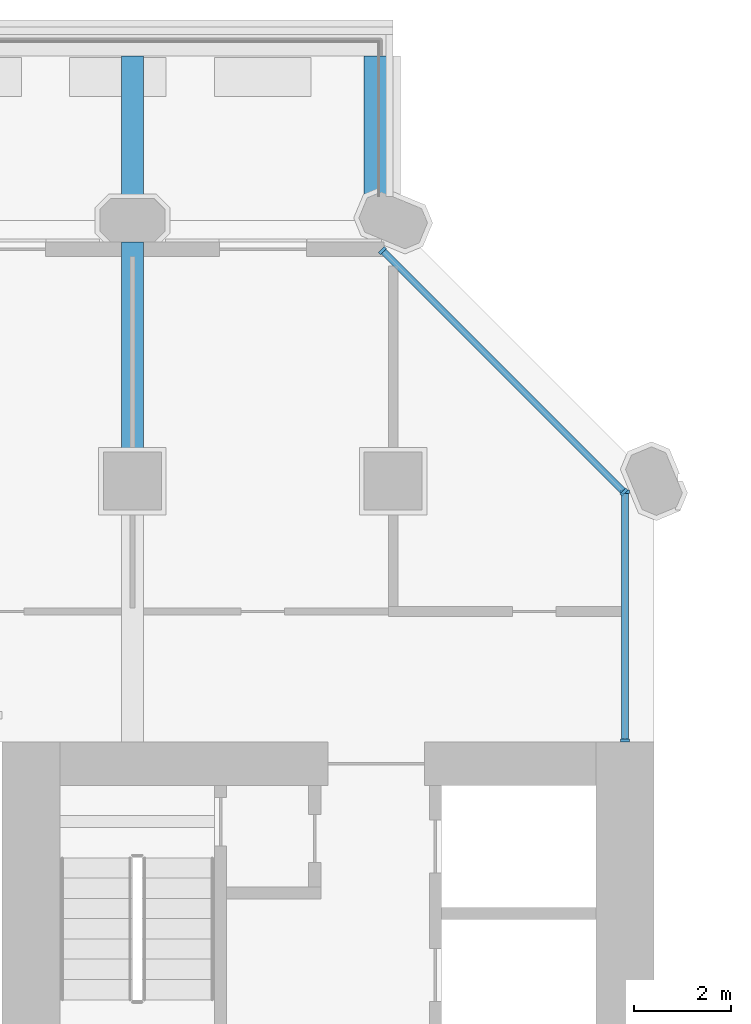
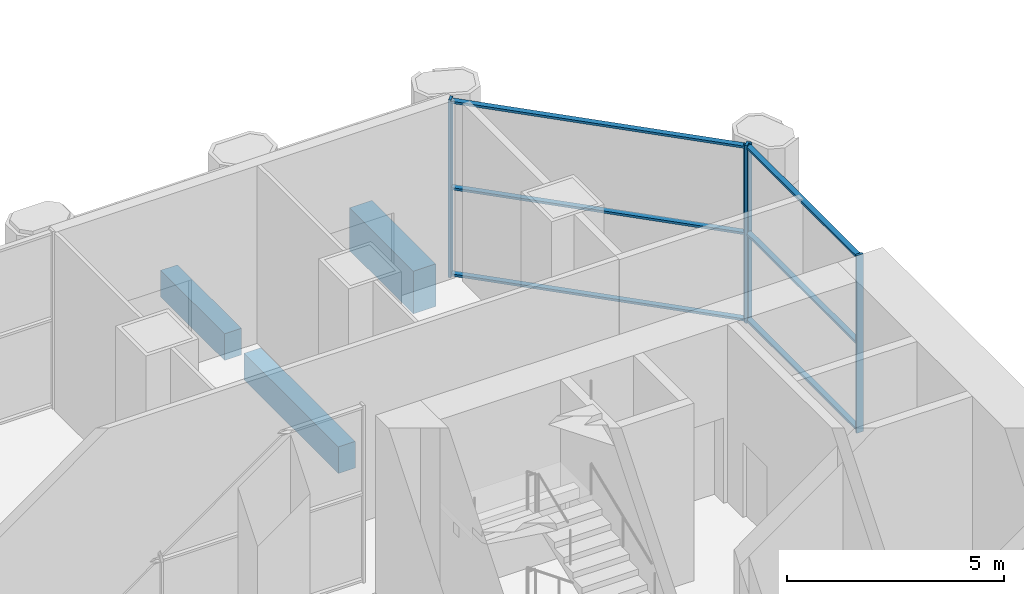
# One storey, part 9 of 27: 10 members, 3 beams, 2 elements without a shape of their own.
"""IFC4 building model written with IfcOpenShell, lengths in metres."""

from ifc_helpers import new_model, si_unit, direction, frame, origin, origin_2d, place, context, subcontext, project, spatial, rectangle, extrude, material, material_profile, profile_set, type_object, element, aggregate, save


model = new_model("IFC4")

# Units and contexts
model_context = context("Model", 3, precision=1e-05, world=origin(), true_north=direction((0.0, 1.0)))
body_context = subcontext(model_context, "Body", "Model", "MODEL_VIEW")
ifc_project = project(units=[si_unit("LENGTHUNIT", "METRE"), si_unit("AREAUNIT", "SQUARE_METRE"), si_unit("VOLUMEUNIT", "CUBIC_METRE"), si_unit("PLANEANGLEUNIT", "RADIAN"), si_unit("MASSUNIT", "GRAM", prefix="KILO")], contexts=[model_context])

# Site, building, storey
site_placement = place(None, origin())
site = spatial("IfcSite", under=ifc_project, at=site_placement, CompositionType="ELEMENT")
building_placement = place(site_placement, origin())
building = spatial("IfcBuilding", under=site, at=building_placement, Name="Tabaq Tower and Sports Hall", CompositionType="ELEMENT")
storey_placement = place(building_placement, frame((0.0, 0.0, 14.39990234375)))
storey = spatial("IfcBuildingStorey", under=building, at=storey_placement, Name="L02", CompositionType="ELEMENT", Elevation=14.39990234375)

# Curtain wall, members
ifc_material_1 = material(Name="Aluminium alloy 6063-T6 framed glazing", Category="aluminium")
curtain_wall_type = type_object("IfcCurtainWallType", Name="CW7 curtain wall", PredefinedType="USERDEFINED", material=ifc_material_1)
curtain_wall_1_placement = place(storey_placement, origin())
curtain_wall_1 = element("IfcCurtainWall", 1, at=curtain_wall_1_placement, inside=storey, type_object=curtain_wall_type, Name="Podium Wall L02 E", ObjectType="PODIUM WALL", PredefinedType="USERDEFINED")
ifc_material_2 = material(Name="Aluminium alloy 6063-T6", Category="aluminium")
ifc_material_profile_1 = material_profile(ifc_material_2, rectangle(XDim=0.179931640625, YDim=0.06494140625, at=origin_2d()), Name="MULLION 180x65")
ifc_profile_set_1 = profile_set([ifc_material_profile_1], Name="Aluminium alloy 6063-T6")
member_type_1 = type_object("IfcMemberType", Name="CW7 mullion 180x65", PredefinedType="MULLION", material=ifc_profile_set_1)
member_1_placement = place(storey_placement, frame((42.60009765625, 32.4326171875, 0.0), z_axis=(0.0, 0.0, 1.0), x_axis=(-1.0, 0.0, 0.0)))
member_1 = element("IfcMember", 2, at=member_1_placement, type_object=member_type_1, Name="CW7 mullion 1", PredefinedType="MULLION", context=body_context, shape_type="SweptSolid", body=[
    extrude(rectangle(XDim=0.179931640625, YDim=0.06494140625, at=origin_2d()), origin(), (0.0, 0.0, 1.0), 5.0),
])
member_2_placement = place(storey_placement, frame((42.60009765625, 37.5810546875, 0.0), z_axis=(0.0, 0.0, 1.0), x_axis=(-1.0, 0.0, 0.0)))
member_2 = element("IfcMember", 3, at=member_2_placement, type_object=member_type_1, Name="CW7 mullion 2", PredefinedType="MULLION", context=body_context, shape_type="SweptSolid", body=[
    extrude(rectangle(XDim=0.179931640625, YDim=0.06494140625, at=origin_2d()), origin(), (0.0, 0.0, 1.0), 5.0),
])

curtain_wall_2_placement = place(storey_placement, origin())
curtain_wall_2 = element("IfcCurtainWall", 4, at=curtain_wall_2_placement, inside=storey, type_object=curtain_wall_type, Name="Podium Wall L02 NE", ObjectType="PODIUM WALL", PredefinedType="USERDEFINED")
member_3_placement = place(storey_placement, frame((42.576904296875, 37.574462890625, 0.0), z_axis=(0.0, 0.0, 1.0), x_axis=(-0.707106781187, -0.707106781187, 0.0)))
member_3 = element("IfcMember", 5, at=member_3_placement, type_object=member_type_1, Name="CW7 mullion 1", PredefinedType="MULLION", context=body_context, shape_type="SweptSolid", body=[
    extrude(rectangle(XDim=0.179931640625, YDim=0.06494140625, at=origin_2d()), origin(), (0.0, 0.0, 1.0), 5.0),
])
member_4_placement = place(storey_placement, frame((37.574462890625, 42.576904296875, 0.0), z_axis=(0.0, 0.0, 1.0), x_axis=(-0.707106781187, -0.707106781187, 0.0)))
member_4 = element("IfcMember", 6, at=member_4_placement, type_object=member_type_1, Name="CW7 mullion 2", PredefinedType="MULLION", context=body_context, shape_type="SweptSolid", body=[
    extrude(rectangle(XDim=0.179931640625, YDim=0.06494140625, at=origin_2d()), origin(), (0.0, 0.0, 1.0), 5.0),
])

# Member
ifc_material_3 = material(Name="Aluminium alloy 6063-T6", Category="aluminium")
ifc_material_profile_2 = material_profile(ifc_material_3, rectangle(XDim=0.139892578125, YDim=0.06494140625, at=origin_2d()), Name="TRANSOM 140x65")
ifc_profile_set_2 = profile_set([ifc_material_profile_2], Name="Aluminium alloy 6063-T6")
member_type_2 = type_object("IfcMemberType", Name="CW7 transom 140x65", PredefinedType="USERDEFINED", material=ifc_profile_set_2)
member_5_placement = place(storey_placement, frame((42.60009765625, 32.465087890625, 0.070068359375), z_axis=(0.0, 1.0, 0.0), x_axis=(-1.0, 0.0, 0.0)))
member_5 = element("IfcMember", 7, at=member_5_placement, type_object=member_type_2, Name="CW7 transom 1.1", ObjectType="TRANSOM", PredefinedType="USERDEFINED", context=body_context, shape_type="SweptSolid", body=[
    extrude(rectangle(XDim=0.139892578125, YDim=0.06494140625, at=origin_2d()), origin(), (0.0, 0.0, 1.0), 5.08349609375),
])

member_6_placement = place(storey_placement, frame((42.60009765625, 32.465087890625, 2.5), z_axis=(0.0, 1.0, 0.0), x_axis=(-1.0, 0.0, 0.0)))
member_6 = element("IfcMember", 8, at=member_6_placement, type_object=member_type_2, Name="CW7 transom 1.2", ObjectType="TRANSOM", PredefinedType="USERDEFINED", context=body_context, shape_type="SweptSolid", body=[
    extrude(rectangle(XDim=0.139892578125, YDim=0.06494140625, at=origin_2d()), origin(), (0.0, 0.0, 1.0), 5.08349609375),
])

member_7_placement = place(storey_placement, frame((42.60009765625, 32.465087890625, 4.93017578125), z_axis=(0.0, 1.0, 0.0), x_axis=(-1.0, 0.0, 0.0)))
member_7 = element("IfcMember", 9, at=member_7_placement, type_object=member_type_2, Name="CW7 transom 1.3", ObjectType="TRANSOM", PredefinedType="USERDEFINED", context=body_context, shape_type="SweptSolid", body=[
    extrude(rectangle(XDim=0.139892578125, YDim=0.06494140625, at=origin_2d()), origin(), (0.0, 0.0, 1.0), 5.08349609375),
])

aggregate(curtain_wall_1, [member_1, member_2, member_5, member_6, member_7])

member_8_placement = place(storey_placement, frame((42.553955078125, 37.597412109375, 0.070068359375), z_axis=(-0.707106781187, 0.707106781187, 0.0), x_axis=(-0.707106781187, -0.707106781187, 0.0)))
member_8 = element("IfcMember", 10, at=member_8_placement, type_object=member_type_2, Name="CW7 transom 1.1", ObjectType="TRANSOM", PredefinedType="USERDEFINED", context=body_context, shape_type="SweptSolid", body=[
    extrude(rectangle(XDim=0.139892578125, YDim=0.06494140625, at=origin_2d()), origin(), (0.0, 0.0, 1.0), 7.009521484375),
])

member_9_placement = place(storey_placement, frame((42.553955078125, 37.597412109375, 2.5), z_axis=(-0.707106781187, 0.707106781187, 0.0), x_axis=(-0.707106781187, -0.707106781187, 0.0)))
member_9 = element("IfcMember", 11, at=member_9_placement, type_object=member_type_2, Name="CW7 transom 1.2", ObjectType="TRANSOM", PredefinedType="USERDEFINED", context=body_context, shape_type="SweptSolid", body=[
    extrude(rectangle(XDim=0.139892578125, YDim=0.06494140625, at=origin_2d()), origin(), (0.0, 0.0, 1.0), 7.009521484375),
])

member_10_placement = place(storey_placement, frame((42.553955078125, 37.597412109375, 4.93017578125), z_axis=(-0.707106781187, 0.707106781187, 0.0), x_axis=(-0.707106781187, -0.707106781187, 0.0)))
member_10 = element("IfcMember", 12, at=member_10_placement, type_object=member_type_2, Name="CW7 transom 1.3", ObjectType="TRANSOM", PredefinedType="USERDEFINED", context=body_context, shape_type="SweptSolid", body=[
    extrude(rectangle(XDim=0.139892578125, YDim=0.06494140625, at=origin_2d()), origin(), (0.0, 0.0, 1.0), 7.009521484375),
])

aggregate(curtain_wall_2, [member_3, member_4, member_8, member_9, member_10])

# Beams
ifc_material_4 = material(Name="Concrete C40/50", Category="concrete")
ifc_material_profile_3 = material_profile(ifc_material_4, rectangle(XDim=0.60009765625, YDim=1.199951171875, at=origin_2d()), Name="EBT 600x1200")
ifc_profile_set_3 = profile_set([ifc_material_profile_3], Name="Concrete C40/50")
beam_type_1 = type_object("IfcBeamType", Name="Concrete C40/50 PT edge band EBT 600x1200", PredefinedType="BEAM", material=ifc_profile_set_3)
beam_1_placement = place(storey_placement, frame((37.5, 43.64990234375, -1.0), z_axis=(0.0, 1.0, 0.0), x_axis=(-1.0, 0.0, 0.0)))
element("IfcBeam", 13, at=beam_1_placement, inside=storey, type_object=beam_type_1, Name="Tray edge band L02", PredefinedType="BEAM", context=body_context, shape_type="SweptSolid", body=[
    extrude(rectangle(XDim=0.60009765625, YDim=1.199951171875, at=origin_2d()), origin(), (0.0, 0.0, 1.0), 2.9501953125),
])
ifc_material_5 = material(Name="Concrete C40/50", Category="concrete")
ifc_material_profile_4 = material_profile(ifc_material_5, rectangle(XDim=0.449951171875, YDim=0.75, at=origin_2d()), Name="CB 450x750")
ifc_profile_set_4 = profile_set([ifc_material_profile_4], Name="Concrete C40/50")
beam_type_2 = type_object("IfcBeamType", Name="PT CANTILEVER BEAM CB 450x750 C40/50", PredefinedType="BEAM", material=ifc_profile_set_4)
beam_2_placement = place(storey_placement, frame((32.39990234375, 46.60009765625, -0.77490234375), z_axis=(0.0, -1.0, 0.0), x_axis=(1.0, 0.0, 0.0)))
element("IfcBeam", 14, at=beam_2_placement, inside=storey, type_object=beam_type_2, Name="Tray Cantilever Beam L02 T1 span 1", PredefinedType="BEAM", context=body_context, shape_type="SweptSolid", body=[
    extrude(rectangle(XDim=0.449951171875, YDim=0.75, at=origin_2d()), origin(), (0.0, 0.0, 1.0), 2.9501953125),
])
beam_3_placement = place(storey_placement, frame((32.39990234375, 42.75, -0.77490234375), z_axis=(0.0, -1.0, 0.0), x_axis=(1.0, 0.0, 0.0)))
element("IfcBeam", 15, at=beam_3_placement, inside=storey, type_object=beam_type_2, Name="Tray Cantilever Beam L02 T1 span 2", PredefinedType="BEAM", context=body_context, shape_type="SweptSolid", body=[
    extrude(rectangle(XDim=0.449951171875, YDim=0.75, at=origin_2d()), origin(), (0.0, 0.0, 1.0), 4.35009765625),
])

save(model, "model.ifc")
